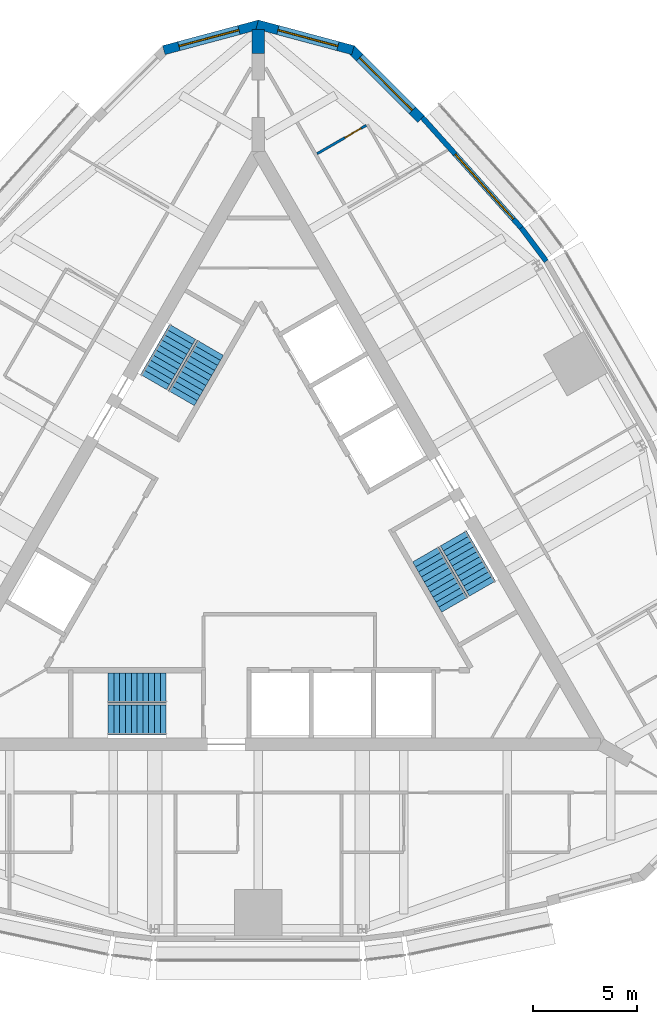
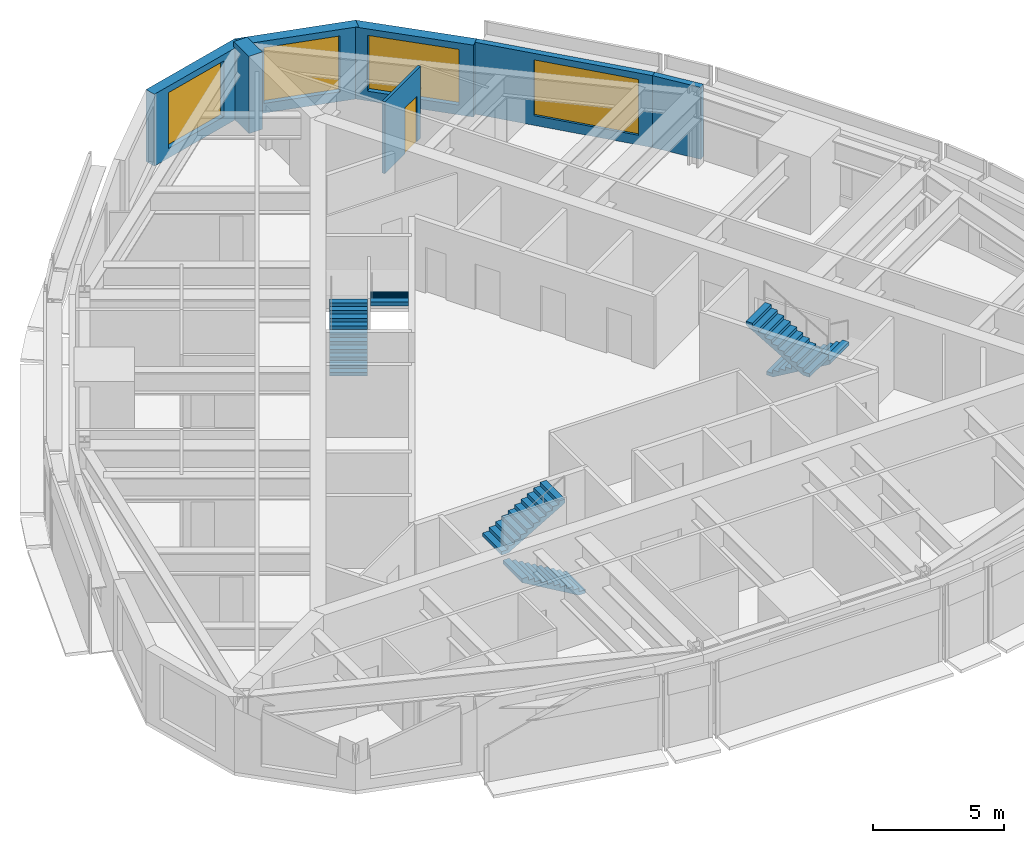
# One storey, part 11 of 12: 7 walls, 6 stair flights, 4 windows, 1 door, 5 openings, 3 elements without a shape of their own.
"""IFC4 building model written with IfcOpenShell, lengths in metres."""

from ifc_helpers import new_model, si_unit, direction, frame, frame_2d, origin, place, context, subcontext, project, spatial, polyline, rectangle, outline, extrude, material, layer, layer_set, type_object, element, fill, aggregate, save


model = new_model("IFC4")

# Units and contexts
model_context = context("Model", 3, precision=1e-05, world=origin(), true_north=direction((0.0, 1.0)))
body_context = subcontext(model_context, "Body", "Model", "MODEL_VIEW")
ifc_project = project(units=[si_unit("LENGTHUNIT", "METRE"), si_unit("AREAUNIT", "SQUARE_METRE"), si_unit("VOLUMEUNIT", "CUBIC_METRE"), si_unit("PLANEANGLEUNIT", "RADIAN"), si_unit("MASSUNIT", "GRAM", prefix="KILO")], contexts=[model_context])

# Site, building, storey
site_placement = place(None, origin())
site = spatial("IfcSite", under=ifc_project, at=site_placement, CompositionType="ELEMENT")
building_placement = place(site_placement, origin())
building = spatial("IfcBuilding", under=site, at=building_placement, Name="Trikona Tower", CompositionType="ELEMENT")
storey_placement = place(building_placement, frame((0.0, 0.0, 271.699951171875)))
storey = spatial("IfcBuildingStorey", under=building, at=storey_placement, Name="L72", CompositionType="ELEMENT", Elevation=271.699951171875)

# Wall, opening, door
ifc_material_1 = material(Name="Metal stud and cement board", Category="gypsum")
ifc_layer_1 = layer(ifc_material_1, 0.1201171875)
ifc_layer_set_1 = layer_set([ifc_layer_1], Name="Bathroom wall 120")
wall_type_1 = type_object("IfcWallType", Name="Bathroom wall 120", PredefinedType="PLUMBINGWALL", material=ifc_layer_set_1)
wall_1_placement = place(storey_placement, frame((2.82861328125, 18.95361328125, 0.0), z_axis=(0.0, 0.0, 1.0), x_axis=(0.866035715982, 0.499982138324, 0.0)))
wall_1 = element("IfcWall", 1, at=wall_1_placement, inside=storey, type_object=wall_type_1, Name="Bathroom wall 7206.2", PredefinedType="PLUMBINGWALL", context=body_context, shape_type="SweptSolid", body=[
    extrude(rectangle(XDim=2.73974609375, YDim=0.1201171875, at=frame_2d((1.369873046875, 0.0))), origin(), (0.0, 0.0, 1.0), 3.35009765625),
])
opening_1_placement = place(wall_1_placement, frame((1.550048828125, 0.0, 0.0)))
opening_1 = element("IfcOpeningElement", 2, at=opening_1_placement, cuts=wall_1, Name="Opening D2", PredefinedType="OPENING", context=body_context, shape_type="SweptSolid", body=[
    extrude(rectangle(XDim=0.89990234375, YDim=2.1298828125, at=frame_2d((0.449951171875, 1.06494140625))), frame((0.0, 0.070068359375, 0.0), z_axis=(0.0, -1.0, 0.0), x_axis=(1.0, 0.0, 0.0)), (0.0, 0.0, 1.0), 0.14013671875),
])
ifc_material_2 = material(Name="Steel door frame with solid-core timber leaf", Category="steel")
door_type = type_object("IfcDoorType", Name="Bathroom door 900x2130", OperationType="SLIDING_TO_LEFT", PredefinedType="DOOR", material=ifc_material_2)
door_placement = place(opening_1_placement, origin())
door = element("IfcDoor", 3, at=door_placement, inside=storey, type_object=door_type, Name="Bathroom door 7206.2", OperationType="SLIDING_TO_LEFT", OverallHeight=2.1298828125, OverallWidth=0.89990234375, PredefinedType="DOOR", context=body_context, shape_type="SweptSolid", body=[
    extrude(rectangle(XDim=0.89990234375, YDim=2.1298828125, at=frame_2d((0.449951171875, 1.06494140625))), frame((0.0, 0.02490234375, 0.0), z_axis=(0.0, -1.0, 0.0), x_axis=(1.0, 0.0, 0.0)), (0.0, 0.0, 1.0), 0.050048828125),
])
fill(opening_1, door)

# Wall, opening, window
ifc_material_3 = material(Name="Brick-faced precast concrete", Category="masonry")
ifc_layer_2 = layer(ifc_material_3, 0.449951171875)
ifc_layer_set_2 = layer_set([ifc_layer_2], Name="Brick-faced corner wall 450")
wall_type_2 = type_object("IfcWallType", Name="Brick-faced corner wall 450", PredefinedType="SOLIDWALL", material=ifc_layer_set_2)
wall_2_placement = place(storey_placement, frame((7.8408203125, 20.62548828125, 0.0), z_axis=(0.0, 0.0, 1.0), x_axis=(-0.707106781187, 0.707106781187, 0.0)))
wall_2 = element("IfcWall", 4, at=wall_2_placement, inside=storey, type_object=wall_type_2, Name="External wall L72-14", PredefinedType="SOLIDWALL", context=body_context, shape_type="SweptSolid", body=[
    extrude(rectangle(XDim=4.781494140625, YDim=0.449951171875, at=frame_2d((2.390625, 0.0))), origin(), (0.0, 0.0, 1.0), 3.35009765625),
])
opening_2_placement = place(wall_2_placement, frame((0.5908203125, 0.0, 0.449951171875)))
opening_2 = element("IfcOpeningElement", 5, at=opening_2_placement, cuts=wall_2, Name="Opening W3626", PredefinedType="OPENING", context=body_context, shape_type="SweptSolid", body=[
    extrude(rectangle(XDim=3.60009765625, YDim=2.60009765625, at=frame_2d((1.800048828125, 1.300048828125))), frame((0.0, 0.23486328125, 0.0), z_axis=(0.0, -1.0, 0.0), x_axis=(1.0, 0.0, 0.0)), (0.0, 0.0, 1.0), 0.469970703125),
])
ifc_material_4 = material(Name="Aluminium-framed double glazing", Category="aluminium")
window_type_1 = type_object("IfcWindowType", Name="Window 3600x2600", PartitioningType="SINGLE_PANEL", PredefinedType="WINDOW", material=ifc_material_4)
window_1_placement = place(opening_2_placement, origin())
window_1 = element("IfcWindow", 6, at=window_1_placement, inside=storey, type_object=window_type_1, Name="Window 7206.2", OverallHeight=2.60009765625, OverallWidth=3.60009765625, PartitioningType="SINGLE_PANEL", PredefinedType="WINDOW", context=body_context, shape_type="SweptSolid", body=[
    extrude(rectangle(XDim=3.60009765625, YDim=2.60009765625, at=frame_2d((1.800048828125, 1.300048828125))), frame((0.0, 0.030029296875, 0.0), z_axis=(0.0, -1.0, 0.0), x_axis=(1.0, 0.0, 0.0)), (0.0, 0.0, 1.0), 0.06005859375),
])
fill(opening_2, window_1)

wall_3_placement = place(storey_placement, frame((4.560546875, 23.948486328125, 0.0), z_axis=(0.0, 0.0, 1.0), x_axis=(-0.965926628191, 0.258816052347, 0.0)))
wall_3 = element("IfcWall", 7, at=wall_3_placement, inside=storey, type_object=wall_type_2, Name="External wall L72-15", PredefinedType="SOLIDWALL", context=body_context, shape_type="SweptSolid", body=[
    extrude(outline(polyline([(4.781494140625, 0.22509765625), (4.722412109375, 0.22509765625), (4.37548828125, 0.132080078125), (4.3505859375, 0.22509765625), (0.0, 0.22509765625), (0.0, -0.22509765625), (4.781494140625, -0.22509765625), (4.781494140625, 0.22509765625)])), origin(), (0.0, 0.0, 1.0), 3.35009765625),
])
opening_3_placement = place(wall_3_placement, frame((0.750244140625, 0.0, 0.449951171875)))
opening_3 = element("IfcOpeningElement", 8, at=opening_3_placement, cuts=wall_3, Name="Opening W3026", PredefinedType="OPENING", context=body_context, shape_type="SweptSolid", body=[
    extrude(rectangle(XDim=3.0, YDim=2.60009765625, at=frame_2d((1.5, 1.300048828125))), frame((0.0, 0.23486328125, 0.0), z_axis=(0.0, -1.0, 0.0), x_axis=(1.0, 0.0, 0.0)), (0.0, 0.0, 1.0), 0.469970703125),
])
ifc_material_5 = material(Name="Aluminium-framed double glazing", Category="aluminium")
window_type_2 = type_object("IfcWindowType", Name="Window 3000x2600", PartitioningType="SINGLE_PANEL", PredefinedType="WINDOW", material=ifc_material_5)
window_2_placement = place(opening_3_placement, origin())
window_2 = element("IfcWindow", 9, at=window_2_placement, inside=storey, type_object=window_type_2, Name="Window 7206.2", OverallHeight=2.60009765625, OverallWidth=3.0, PartitioningType="SINGLE_PANEL", PredefinedType="WINDOW", context=body_context, shape_type="SweptSolid", body=[
    extrude(rectangle(XDim=3.0, YDim=2.60009765625, at=frame_2d((1.5, 1.300048828125))), frame((0.0, 0.030029296875, 0.0), z_axis=(0.0, -1.0, 0.0), x_axis=(1.0, 0.0, 0.0)), (0.0, 0.0, 1.0), 0.06005859375),
])
fill(opening_3, window_2)

wall_4_placement = place(storey_placement, frame((0.05810546875, 25.18603515625, 0.0), z_axis=(0.0, 0.0, 1.0), x_axis=(-0.965926628191, -0.258816052347, 0.0)))
wall_4 = element("IfcWall", 10, at=wall_4_placement, inside=storey, type_object=wall_type_2, Name="External wall L72-16", PredefinedType="SOLIDWALL", context=body_context, shape_type="SweptSolid", body=[
    extrude(outline(polyline([(4.781494140625, 0.22509765625), (0.430908203125, 0.22509765625), (0.406005859375, 0.132080078125), (0.059326171875, 0.22509765625), (0.0, 0.22509765625), (0.0, -0.22509765625), (4.781494140625, -0.22509765625), (4.781494140625, 0.22509765625)])), origin(), (0.0, 0.0, 1.0), 3.35009765625),
])
opening_4_placement = place(wall_4_placement, frame((1.031494140625, 0.0, 0.449951171875)))
opening_4 = element("IfcOpeningElement", 11, at=opening_4_placement, cuts=wall_4, Name="Opening W3026", PredefinedType="OPENING", context=body_context, shape_type="SweptSolid", body=[
    extrude(rectangle(XDim=3.0, YDim=2.60009765625, at=frame_2d((1.5, 1.300048828125))), frame((0.0, 0.23486328125, 0.0), z_axis=(0.0, -1.0, 0.0), x_axis=(1.0, 0.0, 0.0)), (0.0, 0.0, 1.0), 0.469970703125),
])
window_3_placement = place(opening_4_placement, origin())
window_3 = element("IfcWindow", 12, at=window_3_placement, inside=storey, type_object=window_type_2, Name="Window 7207", OverallHeight=2.60009765625, OverallWidth=3.0, PartitioningType="SINGLE_PANEL", PredefinedType="WINDOW", context=body_context, shape_type="SweptSolid", body=[
    extrude(rectangle(XDim=3.0, YDim=2.60009765625, at=frame_2d((1.5, 1.300048828125))), frame((0.0, 0.030029296875, 0.0), z_axis=(0.0, -1.0, 0.0), x_axis=(1.0, 0.0, 0.0)), (0.0, 0.0, 1.0), 0.06005859375),
])
fill(opening_4, window_3)

# Walls
ifc_material_6 = material(Name="Concrete f'c 10000 psi", Category="concrete")
ifc_layer_3 = layer(ifc_material_6, 0.60009765625)
ifc_layer_set_3 = layer_set([ifc_layer_3], Name="Buttress wall 600")
wall_type_3 = type_object("IfcWallType", Name="Buttress wall 600", PredefinedType="SHEAR", material=ifc_layer_set_3)
wall_5_placement = place(storey_placement, frame((0.0, 23.798583984375, 0.0), z_axis=(0.0, 0.0, 1.0), x_axis=(0.0, 1.0, 0.0)))
element("IfcWall", 13, at=wall_5_placement, inside=storey, type_object=wall_type_3, Name="Buttress wall 2 part 2", PredefinedType="SHEAR", context=body_context, shape_type="SweptSolid", body=[
    extrude(rectangle(XDim=1.15478515625, YDim=0.60009765625, at=frame_2d((0.577392578125, 0.0))), origin(), (0.0, 0.0, 1.0), 3.60009765625),
])
ifc_material_7 = material(Name="Insulated precast concrete spandrel panel", Category="concrete")
ifc_layer_4 = layer(ifc_material_7, 0.25)
ifc_layer_set_4 = layer_set([ifc_layer_4], Name="Inner skin wall 250")
wall_type_4 = type_object("IfcWallType", Name="Inner skin wall 250", PredefinedType="STANDARD", material=ifc_layer_set_4)
wall_6_placement = place(storey_placement, frame((13.880859375, 13.7705078125, 0.0), z_axis=(0.0, 0.0, 1.0), x_axis=(-0.599650843534, 0.800261748335, 0.0)))
element("IfcWall", 14, at=wall_6_placement, inside=storey, type_object=wall_type_4, Name="External wall L72-12", PredefinedType="STANDARD", context=body_context, shape_type="SweptSolid", body=[
    extrude(rectangle(XDim=2.01416015625, YDim=0.25, at=frame_2d((1.007080078125, 0.0))), origin(), (0.0, 0.0, 1.0), 3.35009765625),
])

# Wall, opening, window
wall_7_placement = place(storey_placement, frame((12.679931640625, 15.3740234375, 0.0), z_axis=(0.0, 0.0, 1.0), x_axis=(-0.667303550892, 0.744785855778, 0.0)))
wall_7 = element("IfcWall", 15, at=wall_7_placement, inside=storey, type_object=wall_type_4, Name="External wall L72-13", PredefinedType="STANDARD", context=body_context, shape_type="SweptSolid", body=[
    extrude(rectangle(XDim=7.152587890625, YDim=0.25, at=frame_2d((3.576171875, 0.0))), origin(), (0.0, 0.0, 1.0), 3.35009765625),
])
opening_5_placement = place(wall_7_placement, frame((0.576904296875, 0.0, 0.449951171875)))
opening_5 = element("IfcOpeningElement", 16, at=opening_5_placement, cuts=wall_7, Name="Opening W4226", PredefinedType="OPENING", context=body_context, shape_type="SweptSolid", body=[
    extrude(rectangle(XDim=4.199951171875, YDim=2.60009765625, at=frame_2d((2.10009765625, 1.300048828125))), frame((0.0, 0.135009765625, 0.0), z_axis=(0.0, -1.0, 0.0), x_axis=(1.0, 0.0, 0.0)), (0.0, 0.0, 1.0), 0.27001953125),
])
ifc_material_8 = material(Name="Aluminium-framed double glazing", Category="aluminium")
window_type_3 = type_object("IfcWindowType", Name="Window 4200x2600", PartitioningType="SINGLE_PANEL", PredefinedType="WINDOW", material=ifc_material_8)
window_4_placement = place(opening_5_placement, origin())
window_4 = element("IfcWindow", 17, at=window_4_placement, inside=storey, type_object=window_type_3, Name="Window 7206.3", OverallHeight=2.60009765625, OverallWidth=4.199951171875, PartitioningType="SINGLE_PANEL", PredefinedType="WINDOW", context=body_context, shape_type="SweptSolid", body=[
    extrude(rectangle(XDim=4.199951171875, YDim=2.60009765625, at=frame_2d((2.10009765625, 1.300048828125))), frame((0.0, 0.030029296875, 0.0), z_axis=(0.0, -1.0, 0.0), x_axis=(1.0, 0.0, 0.0)), (0.0, 0.0, 1.0), 0.06005859375),
])
fill(opening_5, window_4)

# Stair, stair flights
ifc_material_9 = material(Name="Concrete f'c 5000 psi", Category="concrete")
stair_type = type_object("IfcStairType", Name="Core stair", PredefinedType="HALF_TURN_STAIR", material=ifc_material_9)
stair_1_placement = place(storey_placement, origin())
stair_1 = element("IfcStair", 18, at=stair_1_placement, inside=storey, type_object=stair_type, Name="Stair A L72", PredefinedType="HALF_TURN_STAIR")
ifc_material_10 = material(Name="Concrete f'c 5000 psi", Category="concrete")
stair_flight_type = type_object("IfcStairFlightType", Name="Core stair flight 1450", PredefinedType="STRAIGHT", material=ifc_material_10)
stair_flight_1_placement = place(storey_placement, frame((-4.449951171875, -8.351318359375, 0.0), z_axis=(0.0, 0.0, 1.0), x_axis=(-1.0, 0.0, 0.0)))
stair_flight_1 = element("IfcStairFlight", 19, at=stair_flight_1_placement, type_object=stair_flight_type, Name="ST-A flight 1", NumberOfRisers=11, NumberOfTreads=10, PredefinedType="STRAIGHT", RiserHeight=0.163636, TreadLength=0.28, context=body_context, shape_type="SweptSolid", body=[
    extrude(outline(polyline([(0.0, 0.0), (0.0, 0.16357421875), (0.280029296875, 0.16357421875), (0.280029296875, 0.327392578125), (0.56005859375, 0.327392578125), (0.56005859375, 0.490966796875), (0.840087890625, 0.490966796875), (0.840087890625, 0.654541015625), (1.1201171875, 0.654541015625), (1.1201171875, 0.818115234375), (1.39990234375, 0.818115234375), (1.39990234375, 0.98193359375), (1.679931640625, 0.98193359375), (1.679931640625, 1.1455078125), (1.9599609375, 1.1455078125), (1.9599609375, 1.30908203125), (2.239990234375, 1.30908203125), (2.239990234375, 1.47265625), (2.52001953125, 1.47265625), (2.52001953125, 1.636474609375), (2.800048828125, 1.636474609375), (2.800048828125, 1.800048828125), (2.800048828125, 1.462646484375), (0.297119140625, 0.0), (0.0, 0.0)])), frame((0.0, 0.72509765625, 0.0), z_axis=(0.0, -1.0, 0.0), x_axis=(1.0, 0.0, 0.0)), (0.0, 0.0, 1.0), 1.449951171875),
])
stair_flight_2_placement = place(storey_placement, frame((-7.25, -6.80126953125, 1.800048828125), z_axis=(0.0, 0.0, 1.0), x_axis=(1.0, 0.0, 0.0)))
stair_flight_2 = element("IfcStairFlight", 20, at=stair_flight_2_placement, type_object=stair_flight_type, Name="ST-A flight 2", NumberOfRisers=11, NumberOfTreads=10, PredefinedType="STRAIGHT", RiserHeight=0.163636, TreadLength=0.28, context=body_context, shape_type="SweptSolid", body=[
    extrude(outline(polyline([(0.0, 0.0), (0.0, 0.16357421875), (0.280029296875, 0.16357421875), (0.280029296875, 0.327392578125), (0.56005859375, 0.327392578125), (0.56005859375, 0.490966796875), (0.840087890625, 0.490966796875), (0.840087890625, 0.654541015625), (1.1201171875, 0.654541015625), (1.1201171875, 0.818115234375), (1.39990234375, 0.818115234375), (1.39990234375, 0.98193359375), (1.679931640625, 0.98193359375), (1.679931640625, 1.1455078125), (1.9599609375, 1.1455078125), (1.9599609375, 1.30908203125), (2.239990234375, 1.30908203125), (2.239990234375, 1.47265625), (2.52001953125, 1.47265625), (2.52001953125, 1.636474609375), (2.800048828125, 1.636474609375), (2.800048828125, 1.800048828125), (2.800048828125, 1.462646484375), (0.297119140625, 0.0), (0.0, 0.0)])), frame((0.0, 0.72509765625, 0.0), z_axis=(0.0, -1.0, 0.0), x_axis=(1.0, 0.0, 0.0)), (0.0, 0.0, 1.0), 1.449951171875),
])
aggregate(stair_1, [stair_flight_1, stair_flight_2])

stair_2_placement = place(storey_placement, origin())
stair_2 = element("IfcStair", 21, at=stair_2_placement, inside=storey, type_object=stair_type, Name="Stair B L72", PredefinedType="HALF_TURN_STAIR")
stair_flight_3_placement = place(storey_placement, frame((9.407470703125, 0.408447265625, 0.0), z_axis=(0.0, 0.0, 1.0), x_axis=(0.5, -0.866025403784, 0.0)))
stair_flight_3 = element("IfcStairFlight", 22, at=stair_flight_3_placement, type_object=stair_flight_type, Name="ST-B flight 1", NumberOfRisers=11, NumberOfTreads=10, PredefinedType="STRAIGHT", RiserHeight=0.163636, TreadLength=0.28, context=body_context, shape_type="SweptSolid", body=[
    extrude(outline(polyline([(0.0, 0.0), (0.0, 0.16357421875), (0.280029296875, 0.16357421875), (0.280029296875, 0.327392578125), (0.56005859375, 0.327392578125), (0.56005859375, 0.490966796875), (0.840087890625, 0.490966796875), (0.840087890625, 0.654541015625), (1.1201171875, 0.654541015625), (1.1201171875, 0.818115234375), (1.39990234375, 0.818115234375), (1.39990234375, 0.98193359375), (1.679931640625, 0.98193359375), (1.679931640625, 1.1455078125), (1.9599609375, 1.1455078125), (1.9599609375, 1.30908203125), (2.239990234375, 1.30908203125), (2.239990234375, 1.47265625), (2.52001953125, 1.47265625), (2.52001953125, 1.636474609375), (2.800048828125, 1.636474609375), (2.800048828125, 1.800048828125), (2.800048828125, 1.462646484375), (0.297119140625, 0.0), (0.0, 0.0)])), frame((0.0, 0.72509765625, 0.0), z_axis=(0.0, -1.0, 0.0), x_axis=(1.0, 0.0, 0.0)), (0.0, 0.0, 1.0), 1.449951171875),
])
stair_flight_4_placement = place(storey_placement, frame((9.465087890625, -2.79150390625, 1.800048828125), z_axis=(0.0, 0.0, 1.0), x_axis=(-0.5, 0.866025403784, 0.0)))
stair_flight_4 = element("IfcStairFlight", 23, at=stair_flight_4_placement, type_object=stair_flight_type, Name="ST-B flight 2", NumberOfRisers=11, NumberOfTreads=10, PredefinedType="STRAIGHT", RiserHeight=0.163636, TreadLength=0.28, context=body_context, shape_type="SweptSolid", body=[
    extrude(outline(polyline([(0.0, 0.0), (0.0, 0.16357421875), (0.280029296875, 0.16357421875), (0.280029296875, 0.327392578125), (0.56005859375, 0.327392578125), (0.56005859375, 0.490966796875), (0.840087890625, 0.490966796875), (0.840087890625, 0.654541015625), (1.1201171875, 0.654541015625), (1.1201171875, 0.818115234375), (1.39990234375, 0.818115234375), (1.39990234375, 0.98193359375), (1.679931640625, 0.98193359375), (1.679931640625, 1.1455078125), (1.9599609375, 1.1455078125), (1.9599609375, 1.30908203125), (2.239990234375, 1.30908203125), (2.239990234375, 1.47265625), (2.52001953125, 1.47265625), (2.52001953125, 1.636474609375), (2.800048828125, 1.636474609375), (2.800048828125, 1.800048828125), (2.800048828125, 1.462646484375), (0.297119140625, 0.0), (0.0, 0.0)])), frame((0.0, 0.72509765625, 0.0), z_axis=(0.0, -1.0, 0.0), x_axis=(1.0, 0.0, 0.0)), (0.0, 0.0, 1.0), 1.449951171875),
])
aggregate(stair_2, [stair_flight_3, stair_flight_4])

stair_3_placement = place(storey_placement, origin())
stair_3 = element("IfcStair", 24, at=stair_3_placement, inside=storey, type_object=stair_type, Name="Stair C L72", PredefinedType="HALF_TURN_STAIR")
stair_flight_5_placement = place(storey_placement, frame((-5.057373046875, 7.94287109375, 0.0), z_axis=(0.0, 0.0, 1.0), x_axis=(0.5, 0.866025403784, 0.0)))
stair_flight_5 = element("IfcStairFlight", 25, at=stair_flight_5_placement, type_object=stair_flight_type, Name="ST-C flight 1", NumberOfRisers=11, NumberOfTreads=10, PredefinedType="STRAIGHT", RiserHeight=0.163636, TreadLength=0.28, context=body_context, shape_type="SweptSolid", body=[
    extrude(outline(polyline([(0.0, 0.0), (0.0, 0.16357421875), (0.280029296875, 0.16357421875), (0.280029296875, 0.327392578125), (0.56005859375, 0.327392578125), (0.56005859375, 0.490966796875), (0.840087890625, 0.490966796875), (0.840087890625, 0.654541015625), (1.1201171875, 0.654541015625), (1.1201171875, 0.818115234375), (1.39990234375, 0.818115234375), (1.39990234375, 0.98193359375), (1.679931640625, 0.98193359375), (1.679931640625, 1.1455078125), (1.9599609375, 1.1455078125), (1.9599609375, 1.30908203125), (2.239990234375, 1.30908203125), (2.239990234375, 1.47265625), (2.52001953125, 1.47265625), (2.52001953125, 1.636474609375), (2.800048828125, 1.636474609375), (2.800048828125, 1.800048828125), (2.800048828125, 1.462646484375), (0.297119140625, 0.0), (0.0, 0.0)])), frame((0.0, 0.72509765625, 0.0), z_axis=(0.0, -1.0, 0.0), x_axis=(1.0, 0.0, 0.0)), (0.0, 0.0, 1.0), 1.449951171875),
])
stair_flight_6_placement = place(storey_placement, frame((-2.315185546875, 9.5927734375, 1.800048828125), z_axis=(0.0, 0.0, 1.0), x_axis=(-0.5, -0.866025403784, 0.0)))
stair_flight_6 = element("IfcStairFlight", 26, at=stair_flight_6_placement, type_object=stair_flight_type, Name="ST-C flight 2", NumberOfRisers=11, NumberOfTreads=10, PredefinedType="STRAIGHT", RiserHeight=0.163636, TreadLength=0.28, context=body_context, shape_type="SweptSolid", body=[
    extrude(outline(polyline([(0.0, 0.0), (0.0, 0.16357421875), (0.280029296875, 0.16357421875), (0.280029296875, 0.327392578125), (0.56005859375, 0.327392578125), (0.56005859375, 0.490966796875), (0.840087890625, 0.490966796875), (0.840087890625, 0.654541015625), (1.1201171875, 0.654541015625), (1.1201171875, 0.818115234375), (1.39990234375, 0.818115234375), (1.39990234375, 0.98193359375), (1.679931640625, 0.98193359375), (1.679931640625, 1.1455078125), (1.9599609375, 1.1455078125), (1.9599609375, 1.30908203125), (2.239990234375, 1.30908203125), (2.239990234375, 1.47265625), (2.52001953125, 1.47265625), (2.52001953125, 1.636474609375), (2.800048828125, 1.636474609375), (2.800048828125, 1.800048828125), (2.800048828125, 1.462646484375), (0.297119140625, 0.0), (0.0, 0.0)])), frame((0.0, 0.72509765625, 0.0), z_axis=(0.0, -1.0, 0.0), x_axis=(1.0, 0.0, 0.0)), (0.0, 0.0, 1.0), 1.449951171875),
])
aggregate(stair_3, [stair_flight_5, stair_flight_6])

save(model, "model.ifc")
